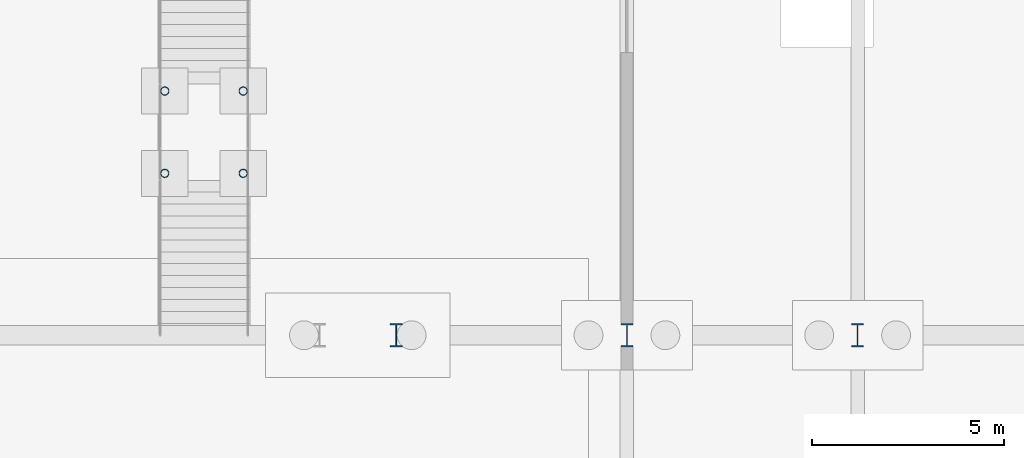
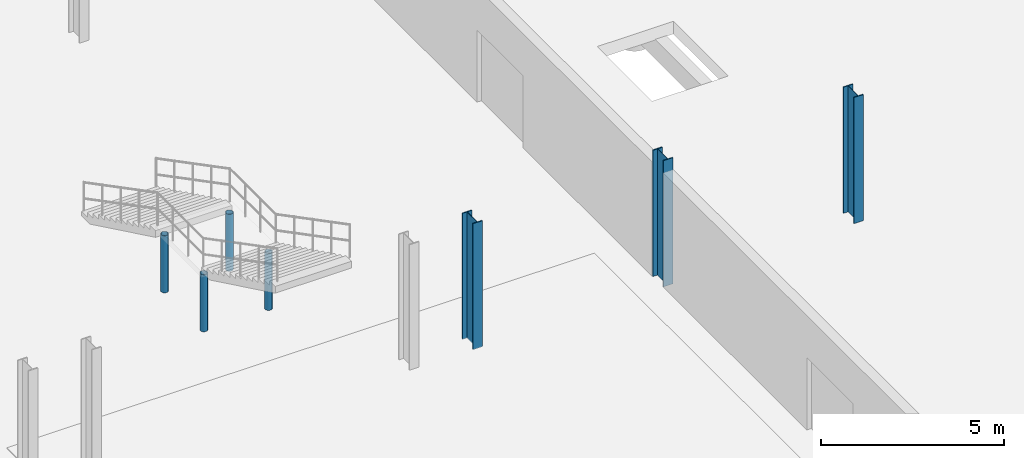
# One storey, part 14 of 77: 7 columns.
"""IFC4 building model written with IfcOpenShell, lengths in metres."""

import ifcopenshell
import ifcopenshell.guid

model = None  # the IFC model being written
_history = None  # IfcOwnerHistory: only IFC2X3 demands one
_inside = {}  # id of a spatial element -> (the spatial element, [elements in it])
_under = {}  # id of a project, library or spatial element -> (it, [spatial elements below it])
_declared = {}  # id of a project -> (the project, [libraries it declares])
_typed = {}  # id of a type object -> (the type object, [elements of that type])
_made_of = {}  # id of a material, layer set ... -> (it, [elements and type objects made of it])


def new_model(schema):
    """Start an empty IFC model of exactly this schema.

    Asked for "IFC4X3", IfcOpenShell would pick the latest addendum, in which some entities
    have other attributes; the version numbers below select the first issue.
    IFC2X3 requires an IfcOwnerHistory on every rooted entity: one is made here for all.
    """
    global model, _history
    if schema == "IFC4X3":
        model = ifcopenshell.file(schema_version=(4, 3, 0, 0))
    else:
        model = ifcopenshell.file(schema=schema)
    _inside.clear()
    _under.clear()
    _declared.clear()
    _typed.clear()
    _made_of.clear()
    _history = None
    if model.schema == "IFC2X3":
        org = make("IfcOrganization", Name="unknown")
        user = make(
            "IfcPersonAndOrganization",
            ThePerson=make("IfcPerson", FamilyName="unknown"),
            TheOrganization=org,
        )
        app = make(
            "IfcApplication",
            ApplicationDeveloper=org,
            Version="unknown",
            ApplicationFullName="unknown",
            ApplicationIdentifier="unknown",
        )
        _history = make(
            "IfcOwnerHistory",
            OwningUser=user,
            OwningApplication=app,
            ChangeAction="ADDED",
            CreationDate=0,
        )
    return model


def make(cls, **values):
    """One entity of the class cls with the attributes given. An attribute that is None is left unset."""
    return model.create_entity(
        cls, **{name: value for name, value in values.items() if value is not None}
    )


def rooted(cls, **values):
    """An entity with a GlobalId (a new one), such as an element, a storey or a relation."""
    return make(cls, GlobalId=ifcopenshell.guid.new(), OwnerHistory=_history, **values)


def si_unit(unit_type, name, prefix=None):
    """IfcSIUnit, for example si_unit("LENGTHUNIT", "METRE", prefix="MILLI")."""
    return make("IfcSIUnit", UnitType=unit_type, Prefix=prefix, Name=name)


def assignment(units):
    """IfcUnitAssignment: the units of a project."""
    return None if units is None else make("IfcUnitAssignment", Units=units)


def point(xyz):
    """IfcCartesianPoint."""
    return None if xyz is None else make("IfcCartesianPoint", Coordinates=xyz)


def direction(xyz):
    """IfcDirection."""
    return None if xyz is None else make("IfcDirection", DirectionRatios=xyz)


def frame(location, z_axis=None, x_axis=None):
    """IfcAxis2Placement3D, a coordinate frame: its origin and axes. An axis left out is left unset."""
    return make(
        "IfcAxis2Placement3D",
        Location=point(location),
        Axis=direction(z_axis),
        RefDirection=direction(x_axis),
    )


def frame_2d(location, x_axis=None):
    """IfcAxis2Placement2D, a coordinate frame in the plane: its origin and x axis."""
    return make(
        "IfcAxis2Placement2D", Location=point(location), RefDirection=direction(x_axis)
    )


def origin():
    """The frame at (0, 0, 0) with its axes left unset."""
    return frame((0.0, 0.0, 0.0))


def origin_2d():
    """The frame at (0, 0) in the plane with its x axis left unset."""
    return frame_2d((0.0, 0.0))


def place(relative_to, where):
    """IfcLocalPlacement: puts the frame where relative to a parent placement (None: the world)."""
    return make(
        "IfcLocalPlacement", PlacementRelTo=relative_to, RelativePlacement=where
    )


def context(
    kind, dimensions, precision=None, world=None, true_north=None, identifier=None
):
    """IfcGeometricRepresentationContext, for example the 3D "Model" context."""
    return make(
        "IfcGeometricRepresentationContext",
        ContextIdentifier=identifier,
        ContextType=kind,
        CoordinateSpaceDimension=dimensions,
        Precision=precision,
        WorldCoordinateSystem=world,
        TrueNorth=true_north,
    )


def subcontext(parent, identifier, kind, view, scale=None):
    """IfcGeometricRepresentationSubContext, for example "Body" below "Model"."""
    return make(
        "IfcGeometricRepresentationSubContext",
        ContextIdentifier=identifier,
        ContextType=kind,
        ParentContext=parent,
        TargetScale=scale,
        TargetView=view,
    )


def project(units=None, contexts=None):
    """IfcProject with its units and contexts."""
    return rooted(
        "IfcProject",
        Name="project",
        RepresentationContexts=contexts,
        UnitsInContext=assignment(units),
    )


def spatial(cls, under=None, at=None, **own):
    """A site, building, storey or space (cls), placed at a placement, below another one or the project."""
    s = rooted(cls, ObjectPlacement=at, **own)
    if under is not None:
        _under.setdefault(under.id(), (under, []))[1].append(s)
    return s


def profile(cls, at=None, kind="AREA", **sizes):
    """A parametric profile (cls). Its sizes go by their IFC names, for example OverallWidth=200.0."""
    return make(cls, ProfileType=kind, Position=at, **sizes)


def hollow_circle(**sizes):
    """IfcCircleHollowProfileDef."""
    return profile("IfcCircleHollowProfileDef", **sizes)


def i_section(**sizes):
    """IfcIShapeProfileDef."""
    return profile("IfcIShapeProfileDef", **sizes)


def extrude(swept, where, along, depth):
    """IfcExtrudedAreaSolid: the profile swept, set in the frame where, extruded along a direction by depth."""
    return make(
        "IfcExtrudedAreaSolid",
        SweptArea=swept,
        Position=where,
        ExtrudedDirection=direction(along),
        Depth=depth,
    )


def shape(context_of_items, identifier, shape_type, items):
    """IfcShapeRepresentation: the items that make up one representation, for example the "Body"."""
    return make(
        "IfcShapeRepresentation",
        ContextOfItems=context_of_items,
        RepresentationIdentifier=identifier,
        RepresentationType=shape_type,
        Items=items,
    )


def material(Name=None, Category=None):
    """IfcMaterial."""
    return make("IfcMaterial", Name=Name, Category=Category)


def material_profile(
    of_material, cross_section, Name=None, Category=None, Priority=None
):
    """IfcMaterialProfile: a cross section and its material."""
    return make(
        "IfcMaterialProfile",
        Name=Name,
        Material=of_material,
        Profile=cross_section,
        Priority=Priority,
        Category=Category,
    )


def profile_set(profiles, Name=None, composite=None):
    """IfcMaterialProfileSet."""
    return make(
        "IfcMaterialProfileSet",
        Name=Name,
        MaterialProfiles=profiles,
        CompositeProfile=composite,
    )


def made_of(thing, what):
    """Note that an element or type object is made of a material, layer set ...; save() writes the relation."""
    if what is not None:
        _made_of.setdefault(what.id(), (what, []))[1].append(thing)
    return thing


def type_object(cls, material=None, **own):
    """A type object (cls), such as IfcWallType, which elements share."""
    return made_of(rooted(cls, **own), material)


def element(
    cls,
    number,
    at=None,
    inside=None,
    cuts=None,
    type_object=None,
    material=None,
    context=None,
    identifier="Body",
    shape_type=None,
    held_by="IfcProductDefinitionShape",
    body=None,
    shapes=None,
    **own,
):
    """One element of the class cls, such as IfcWall. Its Tag is "e" and its number.

    at: its placement. inside: the storey or other place that contains it. cuts: it is an
    opening in that element (IfcRelVoidsElement). A single representation is given by context,
    identifier, shape_type and body (its items); several are given by shapes. held_by: the class
    of the entity that holds the representations. save() writes the other relations.
    """
    e = rooted(cls, Tag="e%d" % number, ObjectPlacement=at, **own)
    if body is not None:
        shapes = [shape(context, identifier, shape_type, body)]
    if shapes is not None:
        e.Representation = make(held_by, Representations=shapes)
    if inside is not None:
        _inside.setdefault(inside.id(), (inside, []))[1].append(e)
    if cuts is not None:
        rooted(
            "IfcRelVoidsElement", RelatingBuildingElement=cuts, RelatedOpeningElement=e
        )
    if type_object is not None:
        _typed.setdefault(type_object.id(), (type_object, []))[1].append(e)
    return made_of(e, material)


def aggregate(whole, parts):
    """IfcRelAggregates: a whole, such as a stair, and the parts it consists of."""
    return rooted("IfcRelAggregates", RelatingObject=whole, RelatedObjects=parts)


def save(model, path):
    """Write the relations noted so far, then the file.

    IfcRelAggregates (storeys below a building ...), IfcRelContainedInSpatialStructure (elements
    in a storey), IfcRelDefinesByType, IfcRelAssociatesMaterial and IfcRelDeclares: one each for
    every whole, place, type object, material and project.
    """
    for whole, parts in _under.values():
        aggregate(whole, parts)
    for where, things in _inside.values():
        rooted(
            "IfcRelContainedInSpatialStructure",
            RelatedElements=things,
            RelatingStructure=where,
        )
    for kind, things in _typed.values():
        rooted("IfcRelDefinesByType", RelatedObjects=things, RelatingType=kind)
    for what, things in _made_of.values():
        rooted("IfcRelAssociatesMaterial", RelatedObjects=things, RelatingMaterial=what)
    for by, libraries in _declared.values():
        rooted("IfcRelDeclares", RelatingContext=by, RelatedDefinitions=libraries)
    model.write(path)


model = new_model("IFC4")

# Units and contexts
model_context = context("Model", 3, precision=1e-05, world=origin(), true_north=direction((0.0, 1.0)))
body_context = subcontext(model_context, "Body", "Model", "MODEL_VIEW")
ifc_project = project(units=[si_unit("LENGTHUNIT", "METRE"), si_unit("AREAUNIT", "SQUARE_METRE"), si_unit("VOLUMEUNIT", "CUBIC_METRE"), si_unit("PLANEANGLEUNIT", "RADIAN"), si_unit("MASSUNIT", "GRAM", prefix="KILO")], contexts=[model_context])

# Site, building, storey
site_placement = place(None, origin())
site = spatial("IfcSite", under=ifc_project, at=site_placement, CompositionType="ELEMENT")
building_placement = place(site_placement, origin())
building = spatial("IfcBuilding", under=site, at=building_placement, Name="Zilviju Railside Exhibition Hall", CompositionType="ELEMENT")
storey_placement = place(building_placement, origin())
storey = spatial("IfcBuildingStorey", under=building, at=storey_placement, Name="L01", CompositionType="ELEMENT", Elevation=0.0)

# Columns
ifc_material_1 = material(Name="Steel S355ML", Category="steel")
ifc_material_profile_1 = material_profile(ifc_material_1, hollow_circle(Radius=0.109619140625, WallThickness=0.010009765625, at=origin_2d()), Name="CHS 219.1x10.0")
ifc_profile_set_1 = profile_set([ifc_material_profile_1], Name="Steel S355ML")
column_type_1 = type_object("IfcColumnType", Name="COL-ST-CHS219", PredefinedType="COLUMN", material=ifc_profile_set_1)
for number, where, z_axis, x_axis, name in (
    (1, (65.97998046875, 22.2099609375, 0.0), (0.0, 0.0, 1.0), (1.0, 0.0, 0.0), "Feature Stair ST19 Landing Column 1"),
    (2, (68.02001953125, 22.2099609375, 0.0), (0.0, 0.0, 1.0), (1.0, 0.0, 0.0), "Feature Stair ST19 Landing Column 2"),
    (3, (65.97998046875, 24.35009765625, 0.0), (0.0, 0.0, 1.0), (1.0, 0.0, 0.0), "Feature Stair ST19 Landing Column 3"),
    (4, (68.02001953125, 24.35009765625, 0.0), (0.0, 0.0, 1.0), (1.0, 0.0, 0.0), "Feature Stair ST19 Landing Column 4"),
):
    element("IfcColumn", number, at=place(storey_placement, frame(where, z_axis=z_axis, x_axis=x_axis)), inside=storey, type_object=column_type_1, Name=name, PredefinedType="COLUMN", context=body_context, shape_type="SweptSolid", body=[
        extrude(hollow_circle(Radius=0.109619140625, WallThickness=0.010009765625, at=origin_2d()), origin(), (0.0, 0.0, 1.0), 1.89990234375),
    ])
ifc_material_2 = material(Name="Steel S355J2", Category="steel")
ifc_material_profile_2 = material_profile(ifc_material_2, i_section(OverallWidth=0.300048828125, OverallDepth=0.60009765625, WebThickness=0.015380859375, FlangeThickness=0.030029296875, at=origin_2d()), Name="HEB 600")
ifc_profile_set_2 = profile_set([ifc_material_profile_2], Name="Steel S355J2")
column_type_2 = type_object("IfcColumnType", Name="COL-ST-HEB600", PredefinedType="COLUMN", material=ifc_profile_set_2)
for number, where, z_axis, x_axis, name in (
    (5, (72.0, 18.0, 0.0), (0.0, 0.0, 1.0), (1.0, 0.0, 0.0), "Structural Column L01 (72.0, 18.0)"),
    (6, (78.0, 18.0, 0.0), (0.0, 0.0, 1.0), (1.0, 0.0, 0.0), "Structural Column L01 (78.0, 18.0)"),
    (7, (84.0, 18.0, 0.0), (0.0, 0.0, 1.0), (1.0, 0.0, 0.0), "Structural Column L01 (84.0, 18.0)"),
):
    element("IfcColumn", number, at=place(storey_placement, frame(where, z_axis=z_axis, x_axis=x_axis)), inside=storey, type_object=column_type_2, Name=name, PredefinedType="COLUMN", context=body_context, shape_type="SweptSolid", body=[
        extrude(i_section(OverallWidth=0.300048828125, OverallDepth=0.60009765625, WebThickness=0.015380859375, FlangeThickness=0.030029296875, at=origin_2d()), origin(), (0.0, 0.0, 1.0), 4.199951171875),
    ])

save(model, "model.ifc")
